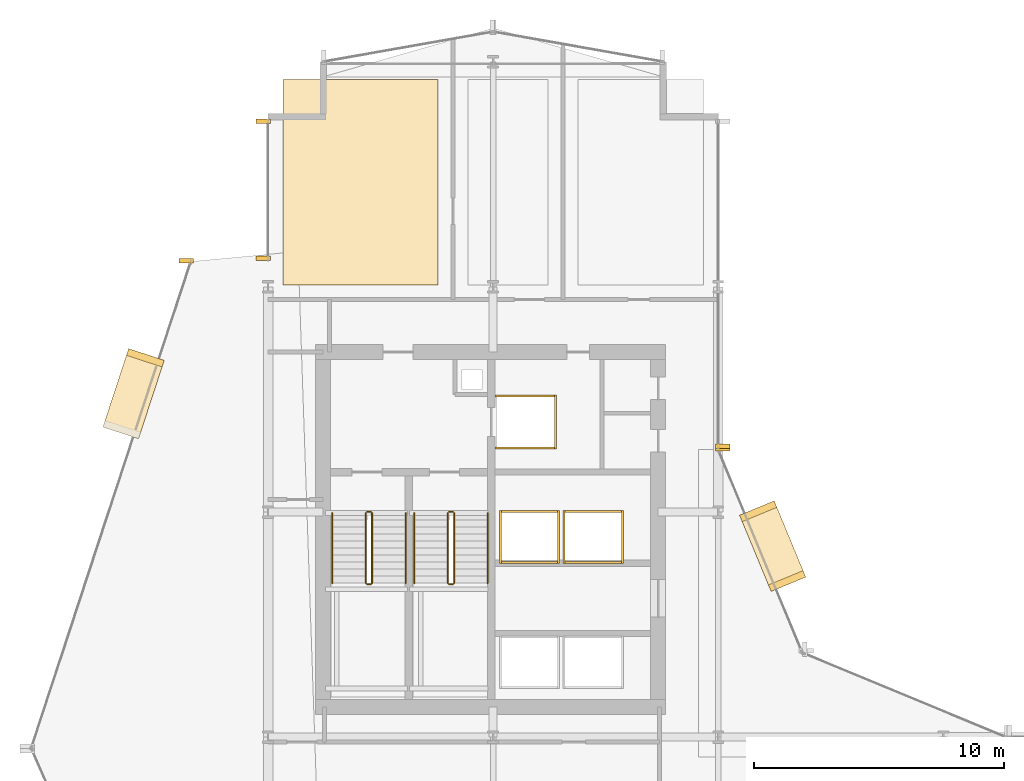
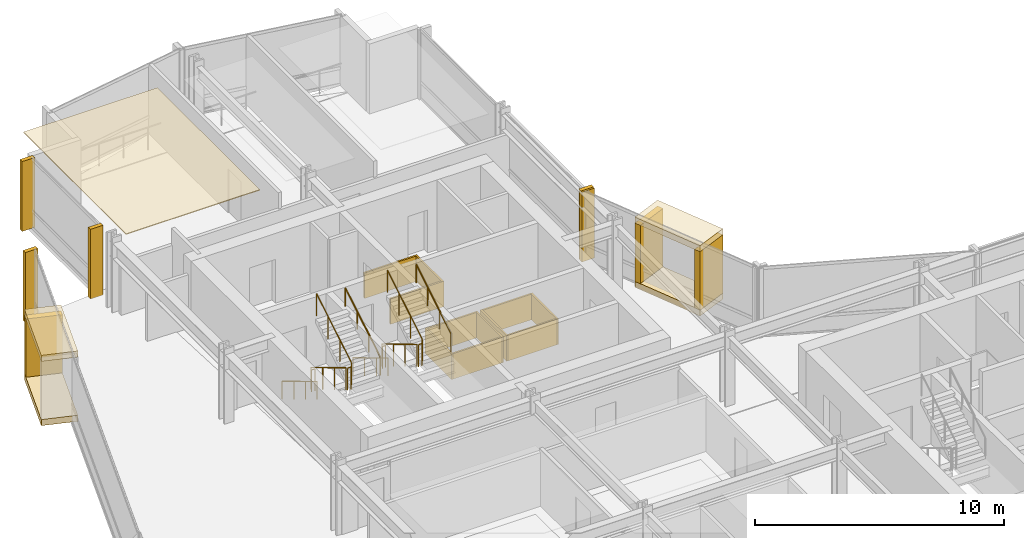
# One storey, part 33 of 34: 24 coverings, 12 railings.
"""IFC4 building model written with IfcOpenShell, lengths in metres."""

from ifc_helpers import new_model, si_unit, direction, frame, origin, origin_2d, place, context, subcontext, project, spatial, polyline, rectangle, circle, outline, extrude, material, layer, layer_set, type_object, element, save


model = new_model("IFC4")

# Units and contexts
model_context = context("Model", 3, precision=1e-05, world=origin(), true_north=direction((0.0, 1.0)))
body_context = subcontext(model_context, "Body", "Model", "MODEL_VIEW")
ifc_project = project(units=[si_unit("LENGTHUNIT", "METRE"), si_unit("AREAUNIT", "SQUARE_METRE"), si_unit("VOLUMEUNIT", "CUBIC_METRE"), si_unit("PLANEANGLEUNIT", "RADIAN"), si_unit("MASSUNIT", "GRAM", prefix="KILO")], contexts=[model_context])

# Site, building, storey
site_placement = place(None, origin())
site = spatial("IfcSite", under=ifc_project, at=site_placement, CompositionType="ELEMENT")
building_placement = place(site_placement, origin())
building = spatial("IfcBuilding", under=site, at=building_placement, Name="Solvaryn Broadcast Tower", CompositionType="ELEMENT")
storey_placement = place(building_placement, frame((0.0, 0.0, 50.800048828125)))
storey = spatial("IfcBuildingStorey", under=building, at=storey_placement, Name="L11", CompositionType="ELEMENT", Elevation=50.800048828125)

# Coverings
ifc_material_1 = material(Name="Micro-Perforated Acoustic Gypsum Ceiling", Category="concrete")
ifc_layer_1 = layer(ifc_material_1, 0.0400390625)
ifc_layer_set_1 = layer_set([ifc_layer_1], Name="CV-CEIL-ACOUSTIC")
covering_type_1 = type_object("IfcCoveringType", Name="CV-CEIL-ACOUSTIC", PredefinedType="CEILING", material=ifc_layer_set_1)
covering_1_placement = place(storey_placement, frame((0.0, 0.0, 3.3798828125)))
element("IfcCovering", 1, at=covering_1_placement, inside=storey, type_object=covering_type_1, Name="L11 Room Acoustic Ceiling 6", PredefinedType="CEILING", context=body_context, shape_type="SweptSolid", body=[
    extrude(outline(polyline([(9.60009765625, 45.070068359375), (15.800048828125, 45.070068359375), (15.800048828125, 53.300048828125), (9.60009765625, 53.300048828125), (9.60009765625, 45.070068359375)])), origin(), (0.0, 0.0, 1.0), 0.0400390625),
])
ifc_material_2 = material(Name="Fire-Rated Gypsum Shaftwall Liner", Category="concrete")
ifc_layer_2 = layer(ifc_material_2, 0.080078125)
ifc_layer_set_2 = layer_set([ifc_layer_2], Name="CV-SHAFT-LINER")
covering_type_2 = type_object("IfcCoveringType", Name="CV-SHAFT-LINER", PredefinedType="CLADDING", material=ifc_layer_set_2)
for number, where, z_axis, x_axis, name in (
    (2, (19.300048828125, 40.639892578125, 0.0), (0.0, 0.0, 1.0), (1.0, 0.0, 0.0), "L11 FL1 Hoistway Shaft Liner North"),
    (3, (19.300048828125, 38.56005859375, 0.0), (0.0, 0.0, 1.0), (1.0, 0.0, 0.0), "L11 FL1 Hoistway Shaft Liner South"),
):
    element("IfcCovering", number, at=place(storey_placement, frame(where, z_axis=z_axis, x_axis=x_axis)), inside=storey, type_object=covering_type_2, Name=name, PredefinedType="CLADDING", context=body_context, shape_type="SweptSolid", body=[
        extrude(rectangle(XDim=2.4599609375, YDim=0.080078125, at=origin_2d()), origin(), (0.0, 0.0, 1.0), 1.25),
    ])
covering_2_placement = place(storey_placement, frame((20.489990234375, 39.60009765625, 0.0), z_axis=(0.0, 0.0, 1.0), x_axis=(1.0, 0.0, 0.0)))
element("IfcCovering", 4, at=covering_2_placement, inside=storey, type_object=covering_type_2, Name="L11 FL1 Hoistway Shaft Liner East", PredefinedType="CLADDING", context=body_context, shape_type="SweptSolid", body=[
    extrude(rectangle(XDim=0.080078125, YDim=2.159912109375, at=origin_2d()), origin(), (0.0, 0.0, 1.0), 1.25),
])
for number, where, z_axis, x_axis, name in (
    (5, (19.449951171875, 36.014892578125, 0.0), (0.0, 0.0, 1.0), (1.0, 0.0, 0.0), "L11 PH3 Hoistway Shaft Liner North"),
    (6, (19.449951171875, 33.985107421875, 0.0), (0.0, 0.0, 1.0), (1.0, 0.0, 0.0), "L11 PH3 Hoistway Shaft Liner South"),
):
    element("IfcCovering", number, at=place(storey_placement, frame(where, z_axis=z_axis, x_axis=x_axis)), inside=storey, type_object=covering_type_2, Name=name, PredefinedType="CLADDING", context=body_context, shape_type="SweptSolid", body=[
        extrude(rectangle(XDim=2.409912109375, YDim=0.080078125, at=origin_2d()), origin(), (0.0, 0.0, 1.0), 1.25),
    ])
for number, where, z_axis, x_axis, name in (
    (7, (20.614990234375, 35.0, 0.0), (0.0, 0.0, 1.0), (1.0, 0.0, 0.0), "L11 PH3 Hoistway Shaft Liner East"),
    (8, (18.284912109375, 35.0, 0.0), (0.0, 0.0, 1.0), (1.0, 0.0, 0.0), "L11 PH3 Hoistway Shaft Liner West"),
):
    element("IfcCovering", number, at=place(storey_placement, frame(where, z_axis=z_axis, x_axis=x_axis)), inside=storey, type_object=covering_type_2, Name=name, PredefinedType="CLADDING", context=body_context, shape_type="SweptSolid", body=[
        extrude(rectangle(XDim=0.080078125, YDim=2.110107421875, at=origin_2d()), origin(), (0.0, 0.0, 1.0), 1.25),
    ])
for number, where, z_axis, x_axis, name in (
    (9, (22.0, 36.014892578125, 0.0), (0.0, 0.0, 1.0), (1.0, 0.0, 0.0), "L11 PH4 Hoistway Shaft Liner North"),
    (10, (22.0, 33.985107421875, 0.0), (0.0, 0.0, 1.0), (1.0, 0.0, 0.0), "L11 PH4 Hoistway Shaft Liner South"),
):
    element("IfcCovering", number, at=place(storey_placement, frame(where, z_axis=z_axis, x_axis=x_axis)), inside=storey, type_object=covering_type_2, Name=name, PredefinedType="CLADDING", context=body_context, shape_type="SweptSolid", body=[
        extrude(rectangle(XDim=2.409912109375, YDim=0.080078125, at=origin_2d()), origin(), (0.0, 0.0, 1.0), 1.25),
    ])
for number, where, z_axis, x_axis, name in (
    (11, (23.1650390625, 35.0, 0.0), (0.0, 0.0, 1.0), (1.0, 0.0, 0.0), "L11 PH4 Hoistway Shaft Liner East"),
    (12, (20.8349609375, 35.0, 0.0), (0.0, 0.0, 1.0), (1.0, 0.0, 0.0), "L11 PH4 Hoistway Shaft Liner West"),
):
    element("IfcCovering", number, at=place(storey_placement, frame(where, z_axis=z_axis, x_axis=x_axis)), inside=storey, type_object=covering_type_2, Name=name, PredefinedType="CLADDING", context=body_context, shape_type="SweptSolid", body=[
        extrude(rectangle(XDim=0.080078125, YDim=2.110107421875, at=origin_2d()), origin(), (0.0, 0.0, 1.0), 1.25),
    ])
ifc_material_3 = material(Name="Glazed Architectural Terracotta Rainscreen Cladding", Category="masonry")
ifc_layer_3 = layer(ifc_material_3, 0.280029296875)
ifc_layer_set_3 = layer_set([ifc_layer_3], Name="CV-TC-CLAD")
covering_type_3 = type_object("IfcCoveringType", Name="CV-TC-CLAD", PredefinedType="CLADDING", material=ifc_layer_set_3)
for number, where, z_axis, x_axis, name in (
    (13, (3.6259765625, 40.73291015625, 3.1298828125), (0.0, 0.0, 1.0), (-0.311671636848, -0.950189870912, 0.0), "L11 Projecting Stone Window Box Hood 1"),
    (14, (3.6259765625, 40.73291015625, -0.01025390625), (0.0, 0.0, 1.0), (-0.311671636848, -0.950189870912, 0.0), "L11 Projecting Stone Window Box Sill 1"),
):
    element("IfcCovering", number, at=place(storey_placement, frame(where, z_axis=z_axis, x_axis=x_axis)), inside=storey, type_object=covering_type_3, Name=name, PredefinedType="CLADDING", context=body_context, shape_type="SweptSolid", body=[
        extrude(rectangle(XDim=3.300048828125, YDim=1.5, at=origin_2d()), origin(), (0.0, 0.0, 1.0), 0.300048828125),
    ])
covering_3_placement = place(storey_placement, frame((4.0966796875, 42.167724609375, 0.27978515625), z_axis=(0.0, 0.0, 1.0), x_axis=(-0.311671636848, -0.950189870912, 0.0)))
element("IfcCovering", 15, at=covering_3_placement, inside=storey, type_object=covering_type_3, Name="L11 Projecting Stone Window Box Cheek 1-1", PredefinedType="CLADDING", context=body_context, shape_type="SweptSolid", body=[
    extrude(rectangle(XDim=0.280029296875, YDim=1.5, at=origin_2d()), origin(), (0.0, 0.0, 1.0), 2.860107421875),
])
for number, where, z_axis, x_axis, name in (
    (16, (29.174072265625, 34.636962890625, 3.1298828125), (0.0, 0.0, 1.0), (-0.382683432365, 0.923879532511, 0.0), "L11 Projecting Stone Window Box Hood 5"),
    (17, (29.174072265625, 34.636962890625, -0.01025390625), (0.0, 0.0, 1.0), (-0.382683432365, 0.923879532511, 0.0), "L11 Projecting Stone Window Box Sill 5"),
):
    element("IfcCovering", number, at=place(storey_placement, frame(where, z_axis=z_axis, x_axis=x_axis)), inside=storey, type_object=covering_type_3, Name=name, PredefinedType="CLADDING", context=body_context, shape_type="SweptSolid", body=[
        extrude(rectangle(XDim=3.300048828125, YDim=1.5, at=origin_2d()), origin(), (0.0, 0.0, 1.0), 0.300048828125),
    ])
for number, where, z_axis, x_axis, name in (
    (18, (29.751953125, 33.241943359375, 0.27978515625), (0.0, 0.0, 1.0), (-0.382683432365, 0.923879532511, 0.0), "L11 Projecting Stone Window Box Cheek 5-1"),
    (19, (28.59619140625, 36.031982421875, 0.27978515625), (0.0, 0.0, 1.0), (-0.382683432365, 0.923879532511, 0.0), "L11 Projecting Stone Window Box Cheek 5-2"),
):
    element("IfcCovering", number, at=place(storey_placement, frame(where, z_axis=z_axis, x_axis=x_axis)), inside=storey, type_object=covering_type_3, Name=name, PredefinedType="CLADDING", context=body_context, shape_type="SweptSolid", body=[
        extrude(rectangle(XDim=0.280029296875, YDim=1.5, at=origin_2d()), origin(), (0.0, 0.0, 1.0), 2.860107421875),
    ])
ifc_material_4 = material(Name="Extruded Architectural Terracotta Fin", Category="masonry")
ifc_layer_4 = layer(ifc_material_4, 0.179931640625)
ifc_layer_set_4 = layer_set([ifc_layer_4], Name="CV-TC-FIN")
covering_type_4 = type_object("IfcCoveringType", Name="CV-TC-FIN", PredefinedType="USERDEFINED", material=ifc_layer_set_4)
for number, where, z_axis, x_axis, name in (
    (20, (5.735595703125, 46.043701171875, 0.0), (0.0, 0.0, 1.0), (1.0, 0.0, 0.0), "L11 Terracotta Vertical Fin FIN-L11-DR1-M00"),
    (21, (8.8125, 46.14599609375, 0.0), (0.0, 0.0, 1.0), (1.0, 0.0, 0.0), "L11 Terracotta Vertical Fin FIN-L11-W2-M00"),
    (22, (8.8125, 51.6201171875, 0.0), (0.0, 0.0, 1.0), (1.0, 0.0, 0.0), "L11 Terracotta Vertical Fin FIN-L11-W2-M01"),
    (23, (27.1875, 38.6298828125, 0.0), (0.0, 0.0, 1.0), (1.0, 0.0, 0.0), "L11 Terracotta Vertical Fin FIN-L11-IV-M01"),
    (24, (27.177978515625, 38.541259765625, 0.0), (0.0, 0.0, 1.0), (1.0, 0.0, 0.0), "L11 Terracotta Vertical Fin FIN-L11-CN2-M01"),
):
    element("IfcCovering", number, at=place(storey_placement, frame(where, z_axis=z_axis, x_axis=x_axis)), inside=storey, type_object=covering_type_4, Name=name, ObjectType="FIN", PredefinedType="USERDEFINED", context=body_context, shape_type="SweptSolid", body=[
        extrude(rectangle(XDim=0.580078125, YDim=0.179931640625, at=origin_2d()), origin(), (0.0, 0.0, 1.0), 3.419921875),
    ])

# Railings
ifc_material_5 = material(Name="Painted Steel Stair Well Guard", Category="steel")
railing_type_1 = type_object("IfcRailingType", Name="RL-STAIR-GUARD", PredefinedType="BALUSTRADE", material=ifc_material_5)
railing_1_placement = place(storey_placement, frame((12.909912109375, 35.9599609375, 0.168212890625)))
element("IfcRailing", 25, at=railing_1_placement, inside=storey, type_object=railing_type_1, Name="L11 ST1 stair guard 1", PredefinedType="BALUSTRADE", context=body_context, shape_type="SweptSolid", body=[
    extrude(circle(Radius=0.02392578125, at=origin_2d()), frame((0.0, 0.0, 1.076171875), z_axis=(0.0, -0.857275202839, 0.514858452973), x_axis=(1.0, 0.0, 0.0)), (0.0, 0.0, 1.0), 3.26611328125),
    extrude(circle(Radius=0.02099609375, at=origin_2d()), origin(), (0.0, 0.0, 1.0), 1.052001953125),
    extrude(circle(Radius=0.02099609375, at=origin_2d()), frame((0.0, -0.933349609375, 0.560546875)), (0.0, 0.0, 1.0), 1.052001953125),
    extrude(circle(Radius=0.02099609375, at=origin_2d()), frame((0.0, -1.86669921875, 1.12109375)), (0.0, 0.0, 1.0), 1.052001953125),
    extrude(circle(Radius=0.02099609375, at=origin_2d()), frame((0.0, -2.800048828125, 1.681640625)), (0.0, 0.0, 1.0), 1.052001953125),
])
railing_2_placement = place(storey_placement, frame((12.9599609375, 33.110107421875, 1.849853515625)))
element("IfcRailing", 26, at=railing_2_placement, inside=storey, type_object=railing_type_1, Name="L11 ST1 stair guard 2", PredefinedType="BALUSTRADE", context=body_context, shape_type="SweptSolid", body=[
    extrude(circle(Radius=0.02392578125, at=origin_2d()), frame((0.0, 0.0, 1.076171875), z_axis=(1.0, 0.0, 0.0), x_axis=(0.0, 1.0, 0.0)), (0.0, 0.0, 1.0), 0.150146484375),
    extrude(circle(Radius=0.02099609375, at=origin_2d()), origin(), (0.0, 0.0, 1.0), 1.052001953125),
    extrude(circle(Radius=0.02099609375, at=origin_2d()), frame((0.150146484375, 0.0, 0.0)), (0.0, 0.0, 1.0), 1.052001953125),
])
railing_3_placement = place(storey_placement, frame((13.159912109375, 33.159912109375, 2.01806640625)))
element("IfcRailing", 27, at=railing_3_placement, inside=storey, type_object=railing_type_1, Name="L11 ST1 stair guard 3", PredefinedType="BALUSTRADE", context=body_context, shape_type="SweptSolid", body=[
    extrude(circle(Radius=0.02392578125, at=origin_2d()), frame((0.0, 0.0, 1.076171875), z_axis=(0.0, 0.857242210791, 0.514913383045), x_axis=(-1.0, 0.0, 0.0)), (0.0, 0.0, 1.0), 3.266357421875),
    extrude(circle(Radius=0.02099609375, at=origin_2d()), origin(), (0.0, 0.0, 1.0), 1.052001953125),
    extrude(circle(Radius=0.02099609375, at=origin_2d()), frame((0.0, 0.933349609375, 0.560546875)), (0.0, 0.0, 1.0), 1.052001953125),
    extrude(circle(Radius=0.02099609375, at=origin_2d()), frame((0.0, 1.86669921875, 1.121337890625)), (0.0, 0.0, 1.0), 1.052001953125),
    extrude(circle(Radius=0.02099609375, at=origin_2d()), frame((0.0, 2.800048828125, 1.681884765625)), (0.0, 0.0, 1.0), 1.052001953125),
])
railing_4_placement = place(storey_placement, frame((12.9599609375, 36.010009765625, 0.0)))
element("IfcRailing", 28, at=railing_4_placement, inside=storey, type_object=railing_type_1, Name="L11 ST1 stair guard 4", PredefinedType="BALUSTRADE", context=body_context, shape_type="SweptSolid", body=[
    extrude(circle(Radius=0.02392578125, at=origin_2d()), frame((0.0, 0.0, 1.076171875), z_axis=(1.0, 0.0, 0.0), x_axis=(0.0, 1.0, 0.0)), (0.0, 0.0, 1.0), 0.150146484375),
    extrude(circle(Radius=0.02099609375, at=origin_2d()), origin(), (0.0, 0.0, 1.0), 1.052001953125),
    extrude(circle(Radius=0.02099609375, at=origin_2d()), frame((0.150146484375, 0.0, 0.0)), (0.0, 0.0, 1.0), 1.052001953125),
])
railing_5_placement = place(storey_placement, frame((16.18994140625, 35.9599609375, 0.168212890625)))
element("IfcRailing", 29, at=railing_5_placement, inside=storey, type_object=railing_type_1, Name="L11 ST2 stair guard 1", PredefinedType="BALUSTRADE", context=body_context, shape_type="SweptSolid", body=[
    extrude(circle(Radius=0.02392578125, at=origin_2d()), frame((0.0, 0.0, 1.076171875), z_axis=(0.0, -0.857275202839, 0.514858452973), x_axis=(1.0, 0.0, 0.0)), (0.0, 0.0, 1.0), 3.26611328125),
    extrude(circle(Radius=0.02099609375, at=origin_2d()), origin(), (0.0, 0.0, 1.0), 1.052001953125),
    extrude(circle(Radius=0.02099609375, at=origin_2d()), frame((0.0, -0.933349609375, 0.560546875)), (0.0, 0.0, 1.0), 1.052001953125),
    extrude(circle(Radius=0.02099609375, at=origin_2d()), frame((0.0, -1.86669921875, 1.12109375)), (0.0, 0.0, 1.0), 1.052001953125),
    extrude(circle(Radius=0.02099609375, at=origin_2d()), frame((0.0, -2.800048828125, 1.681640625)), (0.0, 0.0, 1.0), 1.052001953125),
])
railing_6_placement = place(storey_placement, frame((16.239990234375, 33.110107421875, 1.849853515625)))
element("IfcRailing", 30, at=railing_6_placement, inside=storey, type_object=railing_type_1, Name="L11 ST2 stair guard 2", PredefinedType="BALUSTRADE", context=body_context, shape_type="SweptSolid", body=[
    extrude(circle(Radius=0.02392578125, at=origin_2d()), frame((0.0, 0.0, 1.076171875), z_axis=(1.0, 0.0, 0.0), x_axis=(0.0, 1.0, 0.0)), (0.0, 0.0, 1.0), 0.14990234375),
    extrude(circle(Radius=0.02099609375, at=origin_2d()), origin(), (0.0, 0.0, 1.0), 1.052001953125),
    extrude(circle(Radius=0.02099609375, at=origin_2d()), frame((0.14990234375, 0.0, 0.0)), (0.0, 0.0, 1.0), 1.052001953125),
])
railing_7_placement = place(storey_placement, frame((16.43994140625, 33.159912109375, 2.01806640625)))
element("IfcRailing", 31, at=railing_7_placement, inside=storey, type_object=railing_type_1, Name="L11 ST2 stair guard 3", PredefinedType="BALUSTRADE", context=body_context, shape_type="SweptSolid", body=[
    extrude(circle(Radius=0.02392578125, at=origin_2d()), frame((0.0, 0.0, 1.076171875), z_axis=(0.0, 0.857242210791, 0.514913383045), x_axis=(-1.0, 0.0, 0.0)), (0.0, 0.0, 1.0), 3.266357421875),
    extrude(circle(Radius=0.02099609375, at=origin_2d()), origin(), (0.0, 0.0, 1.0), 1.052001953125),
    extrude(circle(Radius=0.02099609375, at=origin_2d()), frame((0.0, 0.933349609375, 0.560546875)), (0.0, 0.0, 1.0), 1.052001953125),
    extrude(circle(Radius=0.02099609375, at=origin_2d()), frame((0.0, 1.86669921875, 1.121337890625)), (0.0, 0.0, 1.0), 1.052001953125),
    extrude(circle(Radius=0.02099609375, at=origin_2d()), frame((0.0, 2.800048828125, 1.681884765625)), (0.0, 0.0, 1.0), 1.052001953125),
])
railing_8_placement = place(storey_placement, frame((16.239990234375, 36.010009765625, 0.0)))
element("IfcRailing", 32, at=railing_8_placement, inside=storey, type_object=railing_type_1, Name="L11 ST2 stair guard 4", PredefinedType="BALUSTRADE", context=body_context, shape_type="SweptSolid", body=[
    extrude(circle(Radius=0.02392578125, at=origin_2d()), frame((0.0, 0.0, 1.076171875), z_axis=(1.0, 0.0, 0.0), x_axis=(0.0, 1.0, 0.0)), (0.0, 0.0, 1.0), 0.14990234375),
    extrude(circle(Radius=0.02099609375, at=origin_2d()), origin(), (0.0, 0.0, 1.0), 1.052001953125),
    extrude(circle(Radius=0.02099609375, at=origin_2d()), frame((0.14990234375, 0.0, 0.0)), (0.0, 0.0, 1.0), 1.052001953125),
])
ifc_material_6 = material(Name="Brushed Stainless Steel Tubular Handrail", Category="steel")
railing_type_2 = type_object("IfcRailingType", Name="RL-STAIR-HANDRAIL", PredefinedType="HANDRAIL", material=ifc_material_6)
railing_9_placement = place(storey_placement, frame((11.570068359375, 35.9599609375, 0.168212890625)))
element("IfcRailing", 33, at=railing_9_placement, inside=storey, type_object=railing_type_2, Name="L11 ST1 stair handrail 1", PredefinedType="HANDRAIL", context=body_context, shape_type="SweptSolid", body=[
    extrude(circle(Radius=0.02392578125, at=origin_2d()), frame((0.0, 0.0, 0.8759765625), z_axis=(0.0, -0.857275202839, 0.514858452973), x_axis=(1.0, 0.0, 0.0)), (0.0, 0.0, 1.0), 3.26611328125),
    extrude(circle(Radius=0.02099609375, at=origin_2d()), origin(), (0.0, 0.0, 1.0), 0.851806640625),
    extrude(circle(Radius=0.02099609375, at=origin_2d()), frame((0.0, -0.933349609375, 0.560546875)), (0.0, 0.0, 1.0), 0.851806640625),
    extrude(circle(Radius=0.02099609375, at=origin_2d()), frame((0.0, -1.86669921875, 1.12109375)), (0.0, 0.0, 1.0), 0.851806640625),
    extrude(circle(Radius=0.02099609375, at=origin_2d()), frame((0.0, -2.800048828125, 1.681640625)), (0.0, 0.0, 1.0), 0.851806640625),
])
railing_10_placement = place(storey_placement, frame((14.5, 33.159912109375, 2.01806640625)))
element("IfcRailing", 34, at=railing_10_placement, inside=storey, type_object=railing_type_2, Name="L11 ST1 stair handrail 2", PredefinedType="HANDRAIL", context=body_context, shape_type="SweptSolid", body=[
    extrude(circle(Radius=0.02392578125, at=origin_2d()), frame((0.0, 0.0, 0.8759765625), z_axis=(0.0, 0.857242210791, 0.514913383045), x_axis=(-1.0, 0.0, 0.0)), (0.0, 0.0, 1.0), 3.266357421875),
    extrude(circle(Radius=0.02099609375, at=origin_2d()), origin(), (0.0, 0.0, 1.0), 0.851806640625),
    extrude(circle(Radius=0.02099609375, at=origin_2d()), frame((0.0, 0.933349609375, 0.560546875)), (0.0, 0.0, 1.0), 0.851806640625),
    extrude(circle(Radius=0.02099609375, at=origin_2d()), frame((0.0, 1.86669921875, 1.121337890625)), (0.0, 0.0, 1.0), 0.851806640625),
    extrude(circle(Radius=0.02099609375, at=origin_2d()), frame((0.0, 2.800048828125, 1.681884765625)), (0.0, 0.0, 1.0), 0.851806640625),
])
railing_11_placement = place(storey_placement, frame((14.85009765625, 35.9599609375, 0.168212890625)))
element("IfcRailing", 35, at=railing_11_placement, inside=storey, type_object=railing_type_2, Name="L11 ST2 stair handrail 1", PredefinedType="HANDRAIL", context=body_context, shape_type="SweptSolid", body=[
    extrude(circle(Radius=0.02392578125, at=origin_2d()), frame((0.0, 0.0, 0.8759765625), z_axis=(0.0, -0.857275202839, 0.514858452973), x_axis=(1.0, 0.0, 0.0)), (0.0, 0.0, 1.0), 3.26611328125),
    extrude(circle(Radius=0.02099609375, at=origin_2d()), origin(), (0.0, 0.0, 1.0), 0.851806640625),
    extrude(circle(Radius=0.02099609375, at=origin_2d()), frame((0.0, -0.933349609375, 0.560546875)), (0.0, 0.0, 1.0), 0.851806640625),
    extrude(circle(Radius=0.02099609375, at=origin_2d()), frame((0.0, -1.86669921875, 1.12109375)), (0.0, 0.0, 1.0), 0.851806640625),
    extrude(circle(Radius=0.02099609375, at=origin_2d()), frame((0.0, -2.800048828125, 1.681640625)), (0.0, 0.0, 1.0), 0.851806640625),
])
railing_12_placement = place(storey_placement, frame((17.780029296875, 33.159912109375, 2.01806640625)))
element("IfcRailing", 36, at=railing_12_placement, inside=storey, type_object=railing_type_2, Name="L11 ST2 stair handrail 2", PredefinedType="HANDRAIL", context=body_context, shape_type="SweptSolid", body=[
    extrude(circle(Radius=0.02392578125, at=origin_2d()), frame((0.0, 0.0, 0.8759765625), z_axis=(0.0, 0.857242210791, 0.514913383045), x_axis=(-1.0, 0.0, 0.0)), (0.0, 0.0, 1.0), 3.266357421875),
    extrude(circle(Radius=0.02099609375, at=origin_2d()), origin(), (0.0, 0.0, 1.0), 0.851806640625),
    extrude(circle(Radius=0.02099609375, at=origin_2d()), frame((0.0, 0.933349609375, 0.560546875)), (0.0, 0.0, 1.0), 0.851806640625),
    extrude(circle(Radius=0.02099609375, at=origin_2d()), frame((0.0, 1.86669921875, 1.121337890625)), (0.0, 0.0, 1.0), 0.851806640625),
    extrude(circle(Radius=0.02099609375, at=origin_2d()), frame((0.0, 2.800048828125, 1.681884765625)), (0.0, 0.0, 1.0), 0.851806640625),
])

save(model, "model.ifc")
